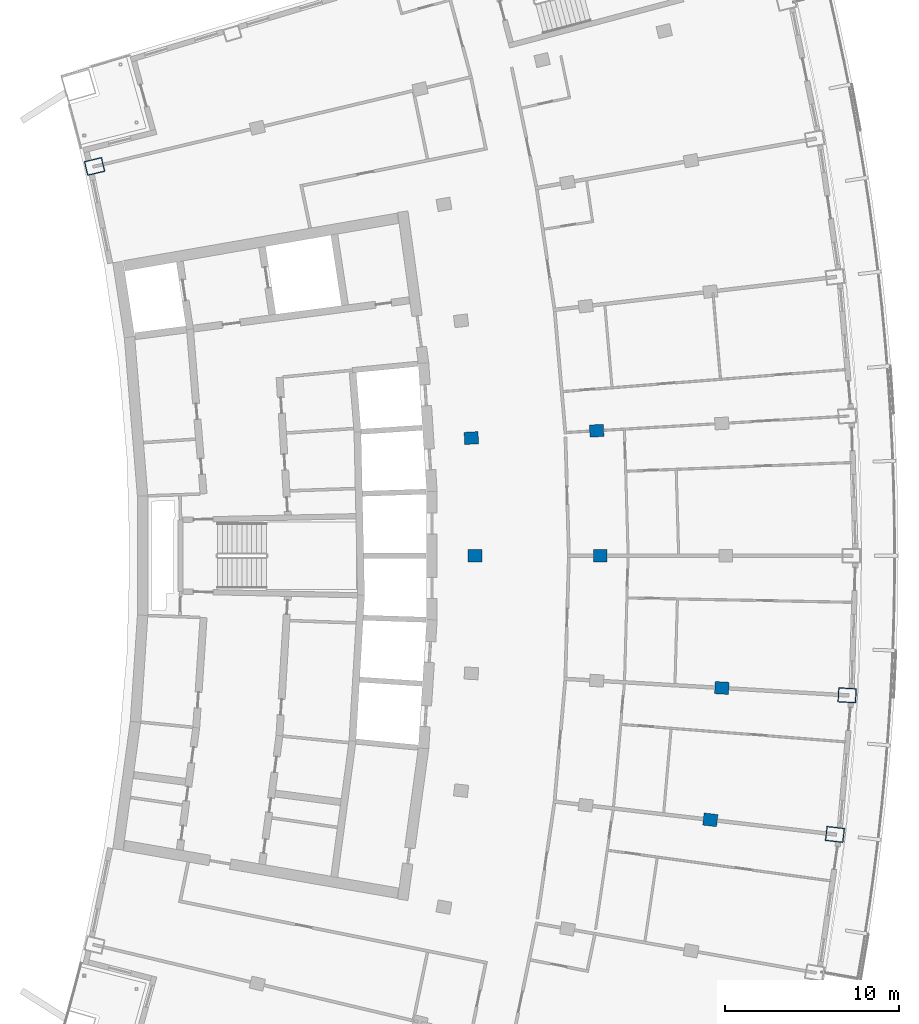
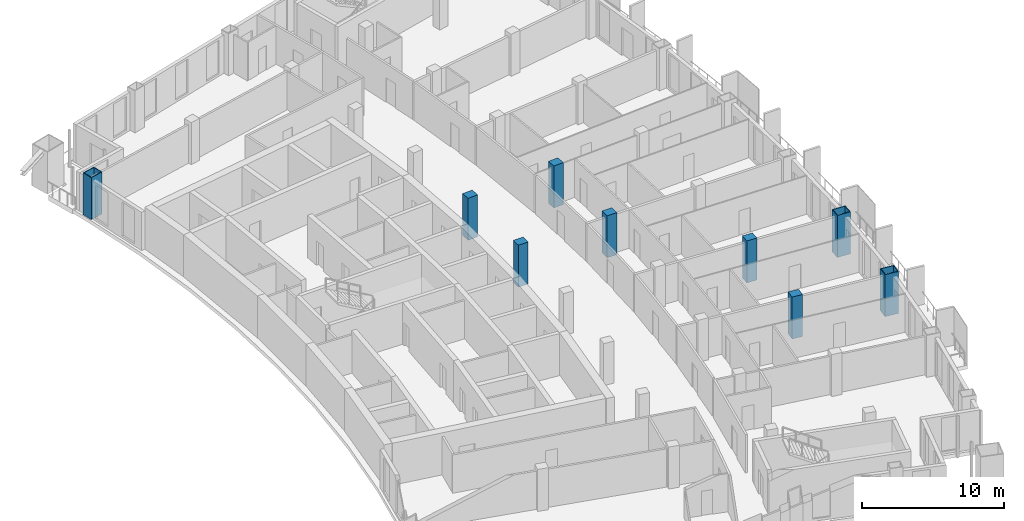
# One storey, part 4 of 18: 9 columns.
"""IFC4 building model written with IfcOpenShell, lengths in metres."""

from ifc_helpers import new_model, si_unit, direction, frame, origin, origin_2d, place, context, subcontext, project, spatial, rectangle, hollow_rectangle, extrude, material, material_profile, profile_set, type_object, element, save


model = new_model("IFC4")

# Units and contexts
model_context = context("Model", 3, precision=1e-05, world=origin(), true_north=direction((0.0, 1.0)))
body_context = subcontext(model_context, "Body", "Model", "MODEL_VIEW")
ifc_project = project(units=[si_unit("LENGTHUNIT", "METRE"), si_unit("AREAUNIT", "SQUARE_METRE"), si_unit("VOLUMEUNIT", "CUBIC_METRE"), si_unit("PLANEANGLEUNIT", "RADIAN"), si_unit("MASSUNIT", "GRAM", prefix="KILO")], contexts=[model_context])

# Site, building, storey
site_placement = place(None, origin())
site = spatial("IfcSite", under=ifc_project, at=site_placement, CompositionType="ELEMENT")
building_placement = place(site_placement, origin())
building = spatial("IfcBuilding", under=site, at=building_placement, Name="Alderwake Tower", CompositionType="ELEMENT")
storey_placement = place(building_placement, frame((0.0, 0.0, 225.199951171875)))
storey = spatial("IfcBuildingStorey", under=building, at=storey_placement, Name="L56", CompositionType="ELEMENT", Elevation=225.199951171875)

# Columns
ifc_material_1 = material(Name="Concrete C70/85", Category="concrete")
ifc_material_profile_1 = material_profile(ifc_material_1, rectangle(XDim=0.699951171875, YDim=0.800048828125, at=origin_2d()), Name="RC 800X700")
ifc_profile_set_1 = profile_set([ifc_material_profile_1], Name="Concrete C70/85")
column_type_1 = type_object("IfcColumnType", Name="Interior column Z4", PredefinedType="COLUMN", material=ifc_profile_set_1)
for number, where, z_axis, x_axis, name in (
    (1, (49.31494140625, 45.844482421875, 0.0), (0.0, 0.0, 1.0), (0.116402054316, 0.993202175668, 0.0), "Column R05-C4"),
    (2, (49.978515625, 53.4091796875, 0.0), (0.0, 0.0, 1.0), (0.058301061284, 0.998299046505, 0.0), "Column R06-C4"),
    (3, (35.800048828125, 61.0, 0.0), (0.0, 0.0, 1.0), (0.0, 1.0, 0.0), "Column R07-C2"),
    (4, (43.0, 61.0, 0.0), (0.0, 0.0, 1.0), (0.0, 1.0, 0.0), "Column R07-C3"),
    (5, (35.60302734375, 67.751220703125, 0.0), (0.0, 0.0, 1.0), (-0.058301061284, 0.998299046505, 0.0), "Column R08-C2"),
    (6, (42.790771484375, 68.1708984375, 0.0), (0.0, 0.0, 1.0), (-0.058299318924, 0.998299148258, 0.0), "Column R08-C3"),
):
    element("IfcColumn", number, at=place(storey_placement, frame(where, z_axis=z_axis, x_axis=x_axis)), inside=storey, type_object=column_type_1, Name=name, PredefinedType="COLUMN", context=body_context, shape_type="SweptSolid", body=[
        extrude(rectangle(XDim=0.699951171875, YDim=0.800048828125, at=origin_2d()), origin(), (0.0, 0.0, 1.0), 3.60009765625),
    ])
ifc_material_2 = material(Name="Steel ASTM A572 Grade 50 concrete filled C70/85", Category="concrete")
ifc_material_profile_2 = material_profile(ifc_material_2, hollow_rectangle(XDim=0.85009765625, YDim=1.050048828125, WallThickness=0.054931640625, at=origin_2d()), Name="BOX 1050X850X55")
ifc_profile_set_2 = profile_set([ifc_material_profile_2], Name="Steel ASTM A572 Grade 50 concrete filled C70/85")
column_type_2 = type_object("IfcColumnType", Name="Perimeter column Z4", PredefinedType="COLUMN", material=ifc_profile_set_2)
for number, where, z_axis, x_axis, name in (
    (7, (56.466064453125, 45.00634765625, 0.0), (0.0, 0.0, 1.0), (0.116402054316, 0.993202175668, 0.0), "Column R05-C5"),
    (8, (57.166259765625, 52.989501953125, 0.0), (0.0, 0.0, 1.0), (0.058301061284, 0.998299046505, 0.0), "Column R06-C5"),
    (9, (13.982177734375, 83.3359375, 0.0), (0.0, 0.0, 1.0), (-0.231221547198, 0.972901123502, 0.0), "Column R11-C0"),
):
    element("IfcColumn", number, at=place(storey_placement, frame(where, z_axis=z_axis, x_axis=x_axis)), inside=storey, type_object=column_type_2, Name=name, PredefinedType="COLUMN", context=body_context, shape_type="SweptSolid", body=[
        extrude(hollow_rectangle(XDim=0.85009765625, YDim=1.050048828125, WallThickness=0.054931640625, at=origin_2d()), origin(), (0.0, 0.0, 1.0), 3.60009765625),
    ])

save(model, "model.ifc")
